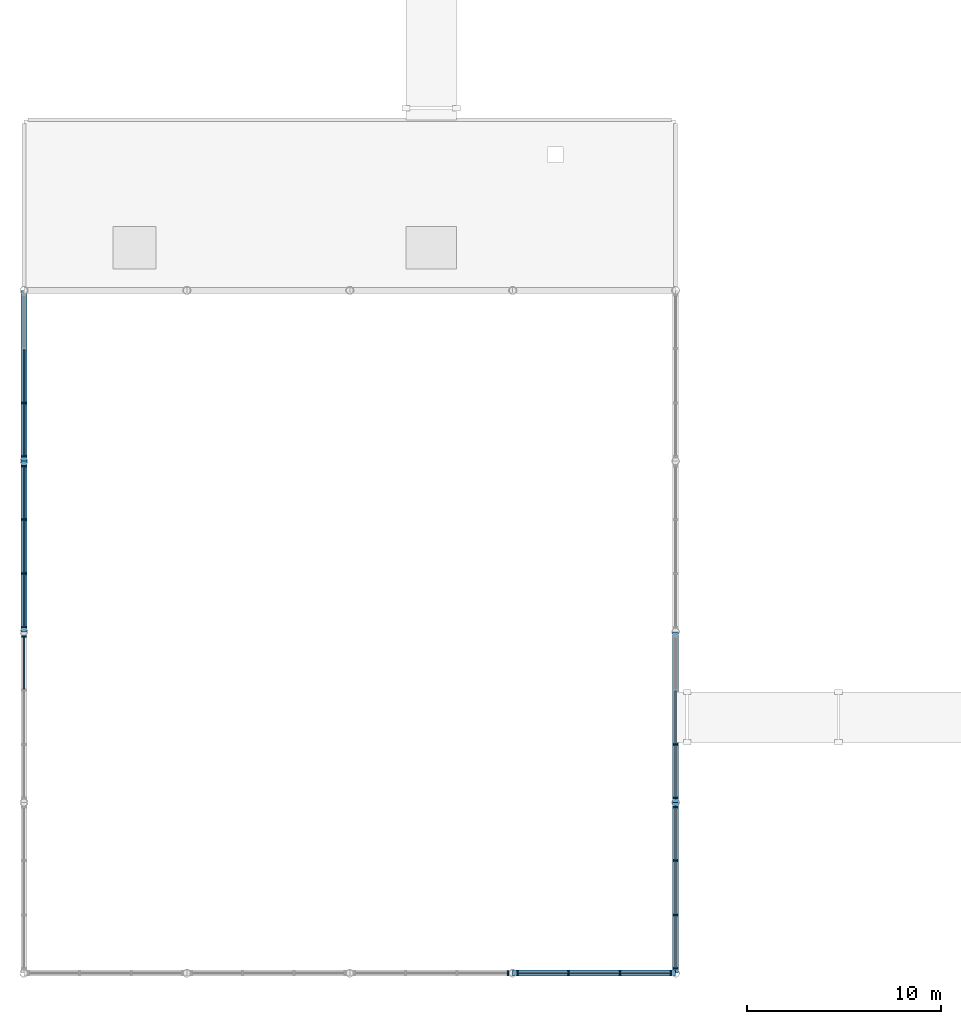
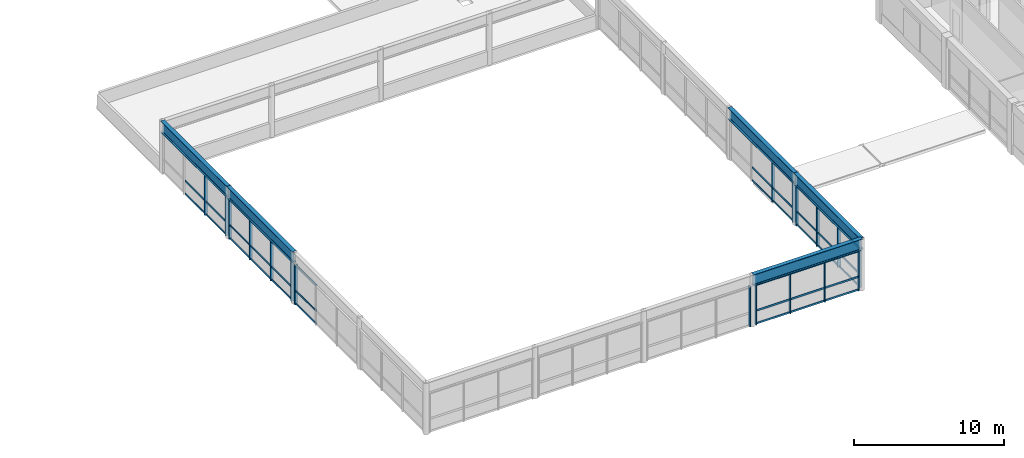
# One storey, part 6 of 46: 60 members, 5 beams, 7 elements without a shape of their own.
"""IFC4 building model written with IfcOpenShell, lengths in metres."""

from ifc_helpers import new_model, si_unit, direction, frame, origin, origin_2d, place, context, subcontext, project, spatial, rectangle, i_section, extrude, material, material_profile, profile_set, type_object, element, aggregate, save


model = new_model("IFC4")

# Units and contexts
model_context = context("Model", 3, precision=1e-05, world=origin(), true_north=direction((0.0, 1.0)))
body_context = subcontext(model_context, "Body", "Model", "MODEL_VIEW")
ifc_project = project(units=[si_unit("LENGTHUNIT", "METRE"), si_unit("AREAUNIT", "SQUARE_METRE"), si_unit("VOLUMEUNIT", "CUBIC_METRE"), si_unit("PLANEANGLEUNIT", "RADIAN"), si_unit("MASSUNIT", "GRAM", prefix="KILO")], contexts=[model_context])

# Site, building, storey
site_placement = place(None, origin())
site = spatial("IfcSite", under=ifc_project, at=site_placement, CompositionType="ELEMENT")
building_placement = place(site_placement, origin())
building = spatial("IfcBuilding", under=site, at=building_placement, Name="Kemercrest Conservatory and Botanical Centre", CompositionType="ELEMENT")
storey_placement = place(building_placement, frame((0.0, 0.0, 9.0)))
storey = spatial("IfcBuildingStorey", under=building, at=storey_placement, Name="L02", CompositionType="ELEMENT", Elevation=9.0)

# Curtain wall, member
ifc_material_1 = material(Name="Thermally broken aluminium and triple low-e glazing", Category="aluminium")
curtain_wall_type_1 = type_object("IfcCurtainWallType", Name="CW-20", PredefinedType="USERDEFINED", material=ifc_material_1)
curtain_wall_1_placement = place(storey_placement, origin())
curtain_wall_1 = element("IfcCurtainWall", 1, at=curtain_wall_1_placement, inside=storey, type_object=curtain_wall_type_1, Name="Unitised curtain wall CW-20 (CW:L02:V1-019)", ObjectType="UNITISED CURTAIN WALL", PredefinedType="USERDEFINED")
ifc_material_2 = material(Name="Thermally broken anodized aluminium 6063-T6", Category="aluminium")
ifc_material_profile_1 = material_profile(ifc_material_2, rectangle(XDim=0.239990234375, YDim=0.074951171875, at=origin_2d()), Name="AL MULLION 75x240")
ifc_profile_set_1 = profile_set([ifc_material_profile_1], Name="Thermally broken anodized aluminium 6063-T6")
member_type_1 = type_object("IfcMemberType", Name="CW-M225", PredefinedType="MULLION", material=ifc_profile_set_1)
member_1_placement = place(storey_placement, frame((32.96240234375, 16.800048828125, 0.0), z_axis=(0.0, 0.0, 1.0), x_axis=(0.0, 1.0, 0.0)))
member_1 = element("IfcMember", 2, at=member_1_placement, type_object=member_type_1, Name="CW-20 mullion 4", PredefinedType="MULLION", context=body_context, shape_type="SweptSolid", body=[
    extrude(rectangle(XDim=0.239990234375, YDim=0.074951171875, at=origin_2d()), origin(), (0.0, 0.0, 1.0), 3.278076171875),
])
aggregate(curtain_wall_1, [member_1])

# Curtain wall, members
curtain_wall_type_2 = type_object("IfcCurtainWallType", Name="CW-21", PredefinedType="USERDEFINED", material=ifc_material_1)
curtain_wall_2_placement = place(storey_placement, origin())
curtain_wall_2 = element("IfcCurtainWall", 3, at=curtain_wall_2_placement, inside=storey, type_object=curtain_wall_type_2, Name="Unitised curtain wall CW-21 (CW:L02:V1-020)", ObjectType="UNITISED CURTAIN WALL", PredefinedType="USERDEFINED")
member_2_placement = place(storey_placement, frame((33.4375, 16.800048828125, 0.0), z_axis=(0.0, 0.0, 1.0), x_axis=(0.0, 1.0, 0.0)))
member_2 = element("IfcMember", 4, at=member_2_placement, type_object=member_type_1, Name="CW-21 mullion 1", PredefinedType="MULLION", context=body_context, shape_type="SweptSolid", body=[
    extrude(rectangle(XDim=0.239990234375, YDim=0.074951171875, at=origin_2d()), origin(), (0.0, 0.0, 1.0), 3.278076171875),
])
member_3_placement = place(storey_placement, frame((36.066650390625, 16.800048828125, 0.0), z_axis=(0.0, 0.0, 1.0), x_axis=(0.0, 1.0, 0.0)))
member_3 = element("IfcMember", 5, at=member_3_placement, type_object=member_type_1, Name="CW-21 mullion 2", PredefinedType="MULLION", context=body_context, shape_type="SweptSolid", body=[
    extrude(rectangle(XDim=0.239990234375, YDim=0.074951171875, at=origin_2d()), origin(), (0.0, 0.0, 1.0), 3.278076171875),
])
member_4_placement = place(storey_placement, frame((38.7333984375, 16.800048828125, 0.0), z_axis=(0.0, 0.0, 1.0), x_axis=(0.0, 1.0, 0.0)))
member_4 = element("IfcMember", 6, at=member_4_placement, type_object=member_type_1, Name="CW-21 mullion 3", PredefinedType="MULLION", context=body_context, shape_type="SweptSolid", body=[
    extrude(rectangle(XDim=0.239990234375, YDim=0.074951171875, at=origin_2d()), origin(), (0.0, 0.0, 1.0), 3.278076171875),
])
member_5_placement = place(storey_placement, frame((41.362548828125, 16.800048828125, 0.0), z_axis=(0.0, 0.0, 1.0), x_axis=(0.0, 1.0, 0.0)))
member_5 = element("IfcMember", 7, at=member_5_placement, type_object=member_type_1, Name="CW-21 mullion 4", PredefinedType="MULLION", context=body_context, shape_type="SweptSolid", body=[
    extrude(rectangle(XDim=0.239990234375, YDim=0.074951171875, at=origin_2d()), origin(), (0.0, 0.0, 1.0), 3.278076171875),
])

curtain_wall_type_3 = type_object("IfcCurtainWallType", Name="CW-22", PredefinedType="USERDEFINED", material=ifc_material_1)
curtain_wall_3_placement = place(storey_placement, origin())
curtain_wall_3 = element("IfcCurtainWall", 8, at=curtain_wall_3_placement, inside=storey, type_object=curtain_wall_type_3, Name="Unitised curtain wall CW-22 (CW:L02:V1-021)", ObjectType="UNITISED CURTAIN WALL", PredefinedType="USERDEFINED")
member_6_placement = place(storey_placement, frame((41.60009765625, 17.03759765625, 0.0), z_axis=(0.0, 0.0, 1.0), x_axis=(-1.0, 0.0, 0.0)))
member_6 = element("IfcMember", 9, at=member_6_placement, type_object=member_type_1, Name="CW-22 mullion 1", PredefinedType="MULLION", context=body_context, shape_type="SweptSolid", body=[
    extrude(rectangle(XDim=0.239990234375, YDim=0.074951171875, at=origin_2d()), origin(), (0.0, 0.0, 1.0), 3.278076171875),
])
member_7_placement = place(storey_placement, frame((41.60009765625, 19.800048828125, 0.0), z_axis=(0.0, 0.0, 1.0), x_axis=(-1.0, 0.0, 0.0)))
member_7 = element("IfcMember", 10, at=member_7_placement, type_object=member_type_1, Name="CW-22 mullion 2", PredefinedType="MULLION", context=body_context, shape_type="SweptSolid", body=[
    extrude(rectangle(XDim=0.239990234375, YDim=0.074951171875, at=origin_2d()), origin(), (0.0, 0.0, 1.0), 3.278076171875),
])
member_8_placement = place(storey_placement, frame((41.60009765625, 22.60009765625, 0.0), z_axis=(0.0, 0.0, 1.0), x_axis=(-1.0, 0.0, 0.0)))
member_8 = element("IfcMember", 11, at=member_8_placement, type_object=member_type_1, Name="CW-22 mullion 3", PredefinedType="MULLION", context=body_context, shape_type="SweptSolid", body=[
    extrude(rectangle(XDim=0.239990234375, YDim=0.074951171875, at=origin_2d()), origin(), (0.0, 0.0, 1.0), 3.278076171875),
])
member_9_placement = place(storey_placement, frame((41.60009765625, 25.362548828125, 0.0), z_axis=(0.0, 0.0, 1.0), x_axis=(-1.0, 0.0, 0.0)))
member_9 = element("IfcMember", 12, at=member_9_placement, type_object=member_type_1, Name="CW-22 mullion 4", PredefinedType="MULLION", context=body_context, shape_type="SweptSolid", body=[
    extrude(rectangle(XDim=0.239990234375, YDim=0.074951171875, at=origin_2d()), origin(), (0.0, 0.0, 1.0), 3.278076171875),
])

curtain_wall_type_4 = type_object("IfcCurtainWallType", Name="CW-23", PredefinedType="USERDEFINED", material=ifc_material_1)
curtain_wall_4_placement = place(storey_placement, origin())
curtain_wall_4 = element("IfcCurtainWall", 13, at=curtain_wall_4_placement, inside=storey, type_object=curtain_wall_type_4, Name="Unitised curtain wall CW-23 (CW:L02:V1-022)", ObjectType="UNITISED CURTAIN WALL", PredefinedType="USERDEFINED")
member_10_placement = place(storey_placement, frame((41.60009765625, 25.83740234375, 0.0), z_axis=(0.0, 0.0, 1.0), x_axis=(-1.0, 0.0, 0.0)))
member_10 = element("IfcMember", 14, at=member_10_placement, type_object=member_type_1, Name="CW-23 mullion 1", PredefinedType="MULLION", context=body_context, shape_type="SweptSolid", body=[
    extrude(rectangle(XDim=0.239990234375, YDim=0.074951171875, at=origin_2d()), origin(), (0.0, 0.0, 1.0), 3.278076171875),
])
member_11_placement = place(storey_placement, frame((41.60009765625, 28.60009765625, 0.0), z_axis=(0.0, 0.0, 1.0), x_axis=(-1.0, 0.0, 0.0)))
member_11 = element("IfcMember", 15, at=member_11_placement, type_object=member_type_1, Name="CW-23 mullion 2", PredefinedType="MULLION", context=body_context, shape_type="SweptSolid", body=[
    extrude(rectangle(XDim=0.239990234375, YDim=0.074951171875, at=origin_2d()), origin(), (0.0, 0.0, 1.0), 3.278076171875),
])

curtain_wall_type_5 = type_object("IfcCurtainWallType", Name="CW-26", PredefinedType="USERDEFINED", material=ifc_material_1)
curtain_wall_5_placement = place(storey_placement, origin())
curtain_wall_5 = element("IfcCurtainWall", 16, at=curtain_wall_5_placement, inside=storey, type_object=curtain_wall_type_5, Name="Unitised curtain wall CW-26 (CW:L02:V1-025)", ObjectType="UNITISED CURTAIN WALL", PredefinedType="USERDEFINED")
member_12_placement = place(storey_placement, frame((8.0, 46.199951171875, 0.0), z_axis=(0.0, 0.0, 1.0), x_axis=(1.0, 0.0, 0.0)))
member_12 = element("IfcMember", 17, at=member_12_placement, type_object=member_type_1, Name="CW-26 mullion 3", PredefinedType="MULLION", context=body_context, shape_type="SweptSolid", body=[
    extrude(rectangle(XDim=0.239990234375, YDim=0.074951171875, at=origin_2d()), origin(), (0.0, 0.0, 1.0), 3.278076171875),
])
member_13_placement = place(storey_placement, frame((8.0, 43.4375, 0.0), z_axis=(0.0, 0.0, 1.0), x_axis=(1.0, 0.0, 0.0)))
member_13 = element("IfcMember", 18, at=member_13_placement, type_object=member_type_1, Name="CW-26 mullion 4", PredefinedType="MULLION", context=body_context, shape_type="SweptSolid", body=[
    extrude(rectangle(XDim=0.239990234375, YDim=0.074951171875, at=origin_2d()), origin(), (0.0, 0.0, 1.0), 3.278076171875),
])

curtain_wall_type_6 = type_object("IfcCurtainWallType", Name="CW-27", PredefinedType="USERDEFINED", material=ifc_material_1)
curtain_wall_6_placement = place(storey_placement, origin())
curtain_wall_6 = element("IfcCurtainWall", 19, at=curtain_wall_6_placement, inside=storey, type_object=curtain_wall_type_6, Name="Unitised curtain wall CW-27 (CW:L02:V1-026)", ObjectType="UNITISED CURTAIN WALL", PredefinedType="USERDEFINED")
member_14_placement = place(storey_placement, frame((8.0, 42.96240234375, 0.0), z_axis=(0.0, 0.0, 1.0), x_axis=(1.0, 0.0, 0.0)))
member_14 = element("IfcMember", 20, at=member_14_placement, type_object=member_type_1, Name="CW-27 mullion 1", PredefinedType="MULLION", context=body_context, shape_type="SweptSolid", body=[
    extrude(rectangle(XDim=0.239990234375, YDim=0.074951171875, at=origin_2d()), origin(), (0.0, 0.0, 1.0), 3.278076171875),
])
member_15_placement = place(storey_placement, frame((8.0, 40.199951171875, 0.0), z_axis=(0.0, 0.0, 1.0), x_axis=(1.0, 0.0, 0.0)))
member_15 = element("IfcMember", 21, at=member_15_placement, type_object=member_type_1, Name="CW-27 mullion 2", PredefinedType="MULLION", context=body_context, shape_type="SweptSolid", body=[
    extrude(rectangle(XDim=0.239990234375, YDim=0.074951171875, at=origin_2d()), origin(), (0.0, 0.0, 1.0), 3.278076171875),
])
member_16_placement = place(storey_placement, frame((8.0, 37.39990234375, 0.0), z_axis=(0.0, 0.0, 1.0), x_axis=(1.0, 0.0, 0.0)))
member_16 = element("IfcMember", 22, at=member_16_placement, type_object=member_type_1, Name="CW-27 mullion 3", PredefinedType="MULLION", context=body_context, shape_type="SweptSolid", body=[
    extrude(rectangle(XDim=0.239990234375, YDim=0.074951171875, at=origin_2d()), origin(), (0.0, 0.0, 1.0), 3.278076171875),
])
member_17_placement = place(storey_placement, frame((8.0, 34.637451171875, 0.0), z_axis=(0.0, 0.0, 1.0), x_axis=(1.0, 0.0, 0.0)))
member_17 = element("IfcMember", 23, at=member_17_placement, type_object=member_type_1, Name="CW-27 mullion 4", PredefinedType="MULLION", context=body_context, shape_type="SweptSolid", body=[
    extrude(rectangle(XDim=0.239990234375, YDim=0.074951171875, at=origin_2d()), origin(), (0.0, 0.0, 1.0), 3.278076171875),
])

# Curtain wall, member
curtain_wall_type_7 = type_object("IfcCurtainWallType", Name="CW-28", PredefinedType="USERDEFINED", material=ifc_material_1)
curtain_wall_7_placement = place(storey_placement, origin())
curtain_wall_7 = element("IfcCurtainWall", 24, at=curtain_wall_7_placement, inside=storey, type_object=curtain_wall_type_7, Name="Unitised curtain wall CW-28 (CW:L02:V1-027)", ObjectType="UNITISED CURTAIN WALL", PredefinedType="USERDEFINED")
member_18_placement = place(storey_placement, frame((8.0, 34.16259765625, 0.0), z_axis=(0.0, 0.0, 1.0), x_axis=(1.0, 0.0, 0.0)))
member_18 = element("IfcMember", 25, at=member_18_placement, type_object=member_type_1, Name="CW-28 mullion 1", PredefinedType="MULLION", context=body_context, shape_type="SweptSolid", body=[
    extrude(rectangle(XDim=0.239990234375, YDim=0.074951171875, at=origin_2d()), origin(), (0.0, 0.0, 1.0), 3.278076171875),
])

# Member
ifc_material_profile_2 = material_profile(ifc_material_2, rectangle(XDim=0.06494140625, YDim=0.14990234375, at=origin_2d()), Name="AL TRANSOM 65x150")
ifc_profile_set_2 = profile_set([ifc_material_profile_2], Name="Thermally broken anodized aluminium 6063-T6")
member_type_2 = type_object("IfcMemberType", Name="CW-T200", PredefinedType="USERDEFINED", material=ifc_profile_set_2)
member_19_placement = place(storey_placement, frame((33.47509765625, 16.800048828125, 0.074951171875), z_axis=(1.0, 0.0, 0.0), x_axis=(0.0, 1.0, 0.0)))
member_19 = element("IfcMember", 26, at=member_19_placement, type_object=member_type_2, Name="CW-21 transom 1.1", ObjectType="TRANSOM", PredefinedType="USERDEFINED", context=body_context, shape_type="SweptSolid", body=[
    extrude(rectangle(XDim=0.06494140625, YDim=0.14990234375, at=origin_2d()), origin(), (0.0, 0.0, 1.0), 2.553955078125),
])

member_20_placement = place(storey_placement, frame((33.47509765625, 16.800048828125, 1.1201171875), z_axis=(1.0, 0.0, 0.0), x_axis=(0.0, 1.0, 0.0)))
member_20 = element("IfcMember", 27, at=member_20_placement, type_object=member_type_2, Name="CW-21 transom 1.2", ObjectType="TRANSOM", PredefinedType="USERDEFINED", context=body_context, shape_type="SweptSolid", body=[
    extrude(rectangle(XDim=0.06494140625, YDim=0.14990234375, at=origin_2d()), origin(), (0.0, 0.0, 1.0), 2.553955078125),
])

member_21_placement = place(storey_placement, frame((33.47509765625, 16.800048828125, 3.202880859375), z_axis=(1.0, 0.0, 0.0), x_axis=(0.0, 1.0, 0.0)))
member_21 = element("IfcMember", 28, at=member_21_placement, type_object=member_type_2, Name="CW-21 transom 1.3", ObjectType="TRANSOM", PredefinedType="USERDEFINED", context=body_context, shape_type="SweptSolid", body=[
    extrude(rectangle(XDim=0.06494140625, YDim=0.14990234375, at=origin_2d()), origin(), (0.0, 0.0, 1.0), 2.553955078125),
])

member_22_placement = place(storey_placement, frame((36.104248046875, 16.800048828125, 0.074951171875), z_axis=(1.0, 0.0, 0.0), x_axis=(0.0, 1.0, 0.0)))
member_22 = element("IfcMember", 29, at=member_22_placement, type_object=member_type_2, Name="CW-21 transom 2.1", ObjectType="TRANSOM", PredefinedType="USERDEFINED", context=body_context, shape_type="SweptSolid", body=[
    extrude(rectangle(XDim=0.06494140625, YDim=0.14990234375, at=origin_2d()), origin(), (0.0, 0.0, 1.0), 2.591552734375),
])

member_23_placement = place(storey_placement, frame((36.104248046875, 16.800048828125, 1.1201171875), z_axis=(1.0, 0.0, 0.0), x_axis=(0.0, 1.0, 0.0)))
member_23 = element("IfcMember", 30, at=member_23_placement, type_object=member_type_2, Name="CW-21 transom 2.2", ObjectType="TRANSOM", PredefinedType="USERDEFINED", context=body_context, shape_type="SweptSolid", body=[
    extrude(rectangle(XDim=0.06494140625, YDim=0.14990234375, at=origin_2d()), origin(), (0.0, 0.0, 1.0), 2.591552734375),
])

member_24_placement = place(storey_placement, frame((36.104248046875, 16.800048828125, 3.202880859375), z_axis=(1.0, 0.0, 0.0), x_axis=(0.0, 1.0, 0.0)))
member_24 = element("IfcMember", 31, at=member_24_placement, type_object=member_type_2, Name="CW-21 transom 2.3", ObjectType="TRANSOM", PredefinedType="USERDEFINED", context=body_context, shape_type="SweptSolid", body=[
    extrude(rectangle(XDim=0.06494140625, YDim=0.14990234375, at=origin_2d()), origin(), (0.0, 0.0, 1.0), 2.591552734375),
])

member_25_placement = place(storey_placement, frame((38.770751953125, 16.800048828125, 0.074951171875), z_axis=(1.0, 0.0, 0.0), x_axis=(0.0, 1.0, 0.0)))
member_25 = element("IfcMember", 32, at=member_25_placement, type_object=member_type_2, Name="CW-21 transom 3.1", ObjectType="TRANSOM", PredefinedType="USERDEFINED", context=body_context, shape_type="SweptSolid", body=[
    extrude(rectangle(XDim=0.06494140625, YDim=0.14990234375, at=origin_2d()), origin(), (0.0, 0.0, 1.0), 2.55419921875),
])

member_26_placement = place(storey_placement, frame((38.770751953125, 16.800048828125, 1.1201171875), z_axis=(1.0, 0.0, 0.0), x_axis=(0.0, 1.0, 0.0)))
member_26 = element("IfcMember", 33, at=member_26_placement, type_object=member_type_2, Name="CW-21 transom 3.2", ObjectType="TRANSOM", PredefinedType="USERDEFINED", context=body_context, shape_type="SweptSolid", body=[
    extrude(rectangle(XDim=0.06494140625, YDim=0.14990234375, at=origin_2d()), origin(), (0.0, 0.0, 1.0), 2.55419921875),
])

member_27_placement = place(storey_placement, frame((38.770751953125, 16.800048828125, 3.202880859375), z_axis=(1.0, 0.0, 0.0), x_axis=(0.0, 1.0, 0.0)))
member_27 = element("IfcMember", 34, at=member_27_placement, type_object=member_type_2, Name="CW-21 transom 3.3", ObjectType="TRANSOM", PredefinedType="USERDEFINED", context=body_context, shape_type="SweptSolid", body=[
    extrude(rectangle(XDim=0.06494140625, YDim=0.14990234375, at=origin_2d()), origin(), (0.0, 0.0, 1.0), 2.55419921875),
])

aggregate(curtain_wall_2, [member_2, member_3, member_4, member_5, member_19, member_20, member_21, member_22, member_23, member_24, member_25, member_26, member_27])

member_28_placement = place(storey_placement, frame((41.60009765625, 17.074951171875, 0.074951171875), z_axis=(0.0, 1.0, 0.0), x_axis=(-1.0, 0.0, 0.0)))
member_28 = element("IfcMember", 35, at=member_28_placement, type_object=member_type_2, Name="CW-22 transom 1.1", ObjectType="TRANSOM", PredefinedType="USERDEFINED", context=body_context, shape_type="SweptSolid", body=[
    extrude(rectangle(XDim=0.06494140625, YDim=0.14990234375, at=origin_2d()), origin(), (0.0, 0.0, 1.0), 2.6875),
])

member_29_placement = place(storey_placement, frame((41.60009765625, 17.074951171875, 1.1201171875), z_axis=(0.0, 1.0, 0.0), x_axis=(-1.0, 0.0, 0.0)))
member_29 = element("IfcMember", 36, at=member_29_placement, type_object=member_type_2, Name="CW-22 transom 1.2", ObjectType="TRANSOM", PredefinedType="USERDEFINED", context=body_context, shape_type="SweptSolid", body=[
    extrude(rectangle(XDim=0.06494140625, YDim=0.14990234375, at=origin_2d()), origin(), (0.0, 0.0, 1.0), 2.6875),
])

member_30_placement = place(storey_placement, frame((41.60009765625, 17.074951171875, 3.202880859375), z_axis=(0.0, 1.0, 0.0), x_axis=(-1.0, 0.0, 0.0)))
member_30 = element("IfcMember", 37, at=member_30_placement, type_object=member_type_2, Name="CW-22 transom 1.3", ObjectType="TRANSOM", PredefinedType="USERDEFINED", context=body_context, shape_type="SweptSolid", body=[
    extrude(rectangle(XDim=0.06494140625, YDim=0.14990234375, at=origin_2d()), origin(), (0.0, 0.0, 1.0), 2.6875),
])

member_31_placement = place(storey_placement, frame((41.60009765625, 19.83740234375, 0.074951171875), z_axis=(0.0, 1.0, 0.0), x_axis=(-1.0, 0.0, 0.0)))
member_31 = element("IfcMember", 38, at=member_31_placement, type_object=member_type_2, Name="CW-22 transom 2.1", ObjectType="TRANSOM", PredefinedType="USERDEFINED", context=body_context, shape_type="SweptSolid", body=[
    extrude(rectangle(XDim=0.06494140625, YDim=0.14990234375, at=origin_2d()), origin(), (0.0, 0.0, 1.0), 2.72509765625),
])

member_32_placement = place(storey_placement, frame((41.60009765625, 19.83740234375, 1.1201171875), z_axis=(0.0, 1.0, 0.0), x_axis=(-1.0, 0.0, 0.0)))
member_32 = element("IfcMember", 39, at=member_32_placement, type_object=member_type_2, Name="CW-22 transom 2.2", ObjectType="TRANSOM", PredefinedType="USERDEFINED", context=body_context, shape_type="SweptSolid", body=[
    extrude(rectangle(XDim=0.06494140625, YDim=0.14990234375, at=origin_2d()), origin(), (0.0, 0.0, 1.0), 2.72509765625),
])

member_33_placement = place(storey_placement, frame((41.60009765625, 19.83740234375, 3.202880859375), z_axis=(0.0, 1.0, 0.0), x_axis=(-1.0, 0.0, 0.0)))
member_33 = element("IfcMember", 40, at=member_33_placement, type_object=member_type_2, Name="CW-22 transom 2.3", ObjectType="TRANSOM", PredefinedType="USERDEFINED", context=body_context, shape_type="SweptSolid", body=[
    extrude(rectangle(XDim=0.06494140625, YDim=0.14990234375, at=origin_2d()), origin(), (0.0, 0.0, 1.0), 2.72509765625),
])

member_34_placement = place(storey_placement, frame((41.60009765625, 22.637451171875, 0.074951171875), z_axis=(0.0, 1.0, 0.0), x_axis=(-1.0, 0.0, 0.0)))
member_34 = element("IfcMember", 41, at=member_34_placement, type_object=member_type_2, Name="CW-22 transom 3.1", ObjectType="TRANSOM", PredefinedType="USERDEFINED", context=body_context, shape_type="SweptSolid", body=[
    extrude(rectangle(XDim=0.06494140625, YDim=0.14990234375, at=origin_2d()), origin(), (0.0, 0.0, 1.0), 2.6875),
])

member_35_placement = place(storey_placement, frame((41.60009765625, 22.637451171875, 1.1201171875), z_axis=(0.0, 1.0, 0.0), x_axis=(-1.0, 0.0, 0.0)))
member_35 = element("IfcMember", 42, at=member_35_placement, type_object=member_type_2, Name="CW-22 transom 3.2", ObjectType="TRANSOM", PredefinedType="USERDEFINED", context=body_context, shape_type="SweptSolid", body=[
    extrude(rectangle(XDim=0.06494140625, YDim=0.14990234375, at=origin_2d()), origin(), (0.0, 0.0, 1.0), 2.6875),
])

member_36_placement = place(storey_placement, frame((41.60009765625, 22.637451171875, 3.202880859375), z_axis=(0.0, 1.0, 0.0), x_axis=(-1.0, 0.0, 0.0)))
member_36 = element("IfcMember", 43, at=member_36_placement, type_object=member_type_2, Name="CW-22 transom 3.3", ObjectType="TRANSOM", PredefinedType="USERDEFINED", context=body_context, shape_type="SweptSolid", body=[
    extrude(rectangle(XDim=0.06494140625, YDim=0.14990234375, at=origin_2d()), origin(), (0.0, 0.0, 1.0), 2.6875),
])

aggregate(curtain_wall_3, [member_6, member_7, member_8, member_9, member_28, member_29, member_30, member_31, member_32, member_33, member_34, member_35, member_36])

member_37_placement = place(storey_placement, frame((41.60009765625, 25.875, 0.074951171875), z_axis=(0.0, 1.0, 0.0), x_axis=(-1.0, 0.0, 0.0)))
member_37 = element("IfcMember", 44, at=member_37_placement, type_object=member_type_2, Name="CW-23 transom 1.1", ObjectType="TRANSOM", PredefinedType="USERDEFINED", context=body_context, shape_type="SweptSolid", body=[
    extrude(rectangle(XDim=0.06494140625, YDim=0.14990234375, at=origin_2d()), origin(), (0.0, 0.0, 1.0), 2.6875),
])

member_38_placement = place(storey_placement, frame((41.60009765625, 25.875, 1.1201171875), z_axis=(0.0, 1.0, 0.0), x_axis=(-1.0, 0.0, 0.0)))
member_38 = element("IfcMember", 45, at=member_38_placement, type_object=member_type_2, Name="CW-23 transom 1.2", ObjectType="TRANSOM", PredefinedType="USERDEFINED", context=body_context, shape_type="SweptSolid", body=[
    extrude(rectangle(XDim=0.06494140625, YDim=0.14990234375, at=origin_2d()), origin(), (0.0, 0.0, 1.0), 2.6875),
])

member_39_placement = place(storey_placement, frame((41.60009765625, 25.875, 3.202880859375), z_axis=(0.0, 1.0, 0.0), x_axis=(-1.0, 0.0, 0.0)))
member_39 = element("IfcMember", 46, at=member_39_placement, type_object=member_type_2, Name="CW-23 transom 1.3", ObjectType="TRANSOM", PredefinedType="USERDEFINED", context=body_context, shape_type="SweptSolid", body=[
    extrude(rectangle(XDim=0.06494140625, YDim=0.14990234375, at=origin_2d()), origin(), (0.0, 0.0, 1.0), 2.6875),
])

member_40_placement = place(storey_placement, frame((41.60009765625, 28.637451171875, 0.074951171875), z_axis=(0.0, 1.0, 0.0), x_axis=(-1.0, 0.0, 0.0)))
member_40 = element("IfcMember", 47, at=member_40_placement, type_object=member_type_2, Name="CW-23 transom 2.1", ObjectType="TRANSOM", PredefinedType="USERDEFINED", context=body_context, shape_type="SweptSolid", body=[
    extrude(rectangle(XDim=0.06494140625, YDim=0.14990234375, at=origin_2d()), origin(), (0.0, 0.0, 1.0), 2.72509765625),
])

member_41_placement = place(storey_placement, frame((41.60009765625, 28.637451171875, 1.1201171875), z_axis=(0.0, 1.0, 0.0), x_axis=(-1.0, 0.0, 0.0)))
member_41 = element("IfcMember", 48, at=member_41_placement, type_object=member_type_2, Name="CW-23 transom 2.2", ObjectType="TRANSOM", PredefinedType="USERDEFINED", context=body_context, shape_type="SweptSolid", body=[
    extrude(rectangle(XDim=0.06494140625, YDim=0.14990234375, at=origin_2d()), origin(), (0.0, 0.0, 1.0), 2.72509765625),
])

member_42_placement = place(storey_placement, frame((41.60009765625, 28.637451171875, 3.202880859375), z_axis=(0.0, 1.0, 0.0), x_axis=(-1.0, 0.0, 0.0)))
member_42 = element("IfcMember", 49, at=member_42_placement, type_object=member_type_2, Name="CW-23 transom 2.3", ObjectType="TRANSOM", PredefinedType="USERDEFINED", context=body_context, shape_type="SweptSolid", body=[
    extrude(rectangle(XDim=0.06494140625, YDim=0.14990234375, at=origin_2d()), origin(), (0.0, 0.0, 1.0), 2.72509765625),
])

aggregate(curtain_wall_4, [member_10, member_11, member_37, member_38, member_39, member_40, member_41, member_42])

member_43_placement = place(storey_placement, frame((8.0, 48.96240234375, 0.074951171875), z_axis=(0.0, -1.0, 0.0), x_axis=(1.0, 0.0, 0.0)))
member_43 = element("IfcMember", 50, at=member_43_placement, type_object=member_type_2, Name="CW-26 transom 2.1", ObjectType="TRANSOM", PredefinedType="USERDEFINED", context=body_context, shape_type="SweptSolid", body=[
    extrude(rectangle(XDim=0.06494140625, YDim=0.14990234375, at=origin_2d()), origin(), (0.0, 0.0, 1.0), 2.724853515625),
])

member_44_placement = place(storey_placement, frame((8.0, 48.96240234375, 1.1201171875), z_axis=(0.0, -1.0, 0.0), x_axis=(1.0, 0.0, 0.0)))
member_44 = element("IfcMember", 51, at=member_44_placement, type_object=member_type_2, Name="CW-26 transom 2.2", ObjectType="TRANSOM", PredefinedType="USERDEFINED", context=body_context, shape_type="SweptSolid", body=[
    extrude(rectangle(XDim=0.06494140625, YDim=0.14990234375, at=origin_2d()), origin(), (0.0, 0.0, 1.0), 2.724853515625),
])

member_45_placement = place(storey_placement, frame((8.0, 48.96240234375, 3.202880859375), z_axis=(0.0, -1.0, 0.0), x_axis=(1.0, 0.0, 0.0)))
member_45 = element("IfcMember", 52, at=member_45_placement, type_object=member_type_2, Name="CW-26 transom 2.3", ObjectType="TRANSOM", PredefinedType="USERDEFINED", context=body_context, shape_type="SweptSolid", body=[
    extrude(rectangle(XDim=0.06494140625, YDim=0.14990234375, at=origin_2d()), origin(), (0.0, 0.0, 1.0), 2.724853515625),
])

member_46_placement = place(storey_placement, frame((8.0, 46.16259765625, 0.074951171875), z_axis=(0.0, -1.0, 0.0), x_axis=(1.0, 0.0, 0.0)))
member_46 = element("IfcMember", 53, at=member_46_placement, type_object=member_type_2, Name="CW-26 transom 3.1", ObjectType="TRANSOM", PredefinedType="USERDEFINED", context=body_context, shape_type="SweptSolid", body=[
    extrude(rectangle(XDim=0.06494140625, YDim=0.14990234375, at=origin_2d()), origin(), (0.0, 0.0, 1.0), 2.6875),
])

member_47_placement = place(storey_placement, frame((8.0, 46.16259765625, 1.1201171875), z_axis=(0.0, -1.0, 0.0), x_axis=(1.0, 0.0, 0.0)))
member_47 = element("IfcMember", 54, at=member_47_placement, type_object=member_type_2, Name="CW-26 transom 3.2", ObjectType="TRANSOM", PredefinedType="USERDEFINED", context=body_context, shape_type="SweptSolid", body=[
    extrude(rectangle(XDim=0.06494140625, YDim=0.14990234375, at=origin_2d()), origin(), (0.0, 0.0, 1.0), 2.6875),
])

member_48_placement = place(storey_placement, frame((8.0, 46.16259765625, 3.202880859375), z_axis=(0.0, -1.0, 0.0), x_axis=(1.0, 0.0, 0.0)))
member_48 = element("IfcMember", 55, at=member_48_placement, type_object=member_type_2, Name="CW-26 transom 3.3", ObjectType="TRANSOM", PredefinedType="USERDEFINED", context=body_context, shape_type="SweptSolid", body=[
    extrude(rectangle(XDim=0.06494140625, YDim=0.14990234375, at=origin_2d()), origin(), (0.0, 0.0, 1.0), 2.6875),
])

aggregate(curtain_wall_5, [member_12, member_13, member_43, member_44, member_45, member_46, member_47, member_48])

member_49_placement = place(storey_placement, frame((8.0, 42.925048828125, 0.074951171875), z_axis=(0.0, -1.0, 0.0), x_axis=(1.0, 0.0, 0.0)))
member_49 = element("IfcMember", 56, at=member_49_placement, type_object=member_type_2, Name="CW-27 transom 1.1", ObjectType="TRANSOM", PredefinedType="USERDEFINED", context=body_context, shape_type="SweptSolid", body=[
    extrude(rectangle(XDim=0.06494140625, YDim=0.14990234375, at=origin_2d()), origin(), (0.0, 0.0, 1.0), 2.6875),
])

member_50_placement = place(storey_placement, frame((8.0, 42.925048828125, 1.1201171875), z_axis=(0.0, -1.0, 0.0), x_axis=(1.0, 0.0, 0.0)))
member_50 = element("IfcMember", 57, at=member_50_placement, type_object=member_type_2, Name="CW-27 transom 1.2", ObjectType="TRANSOM", PredefinedType="USERDEFINED", context=body_context, shape_type="SweptSolid", body=[
    extrude(rectangle(XDim=0.06494140625, YDim=0.14990234375, at=origin_2d()), origin(), (0.0, 0.0, 1.0), 2.6875),
])

member_51_placement = place(storey_placement, frame((8.0, 42.925048828125, 3.202880859375), z_axis=(0.0, -1.0, 0.0), x_axis=(1.0, 0.0, 0.0)))
member_51 = element("IfcMember", 58, at=member_51_placement, type_object=member_type_2, Name="CW-27 transom 1.3", ObjectType="TRANSOM", PredefinedType="USERDEFINED", context=body_context, shape_type="SweptSolid", body=[
    extrude(rectangle(XDim=0.06494140625, YDim=0.14990234375, at=origin_2d()), origin(), (0.0, 0.0, 1.0), 2.6875),
])

member_52_placement = place(storey_placement, frame((8.0, 40.16259765625, 0.074951171875), z_axis=(0.0, -1.0, 0.0), x_axis=(1.0, 0.0, 0.0)))
member_52 = element("IfcMember", 59, at=member_52_placement, type_object=member_type_2, Name="CW-27 transom 2.1", ObjectType="TRANSOM", PredefinedType="USERDEFINED", context=body_context, shape_type="SweptSolid", body=[
    extrude(rectangle(XDim=0.06494140625, YDim=0.14990234375, at=origin_2d()), origin(), (0.0, 0.0, 1.0), 2.72509765625),
])

member_53_placement = place(storey_placement, frame((8.0, 40.16259765625, 1.1201171875), z_axis=(0.0, -1.0, 0.0), x_axis=(1.0, 0.0, 0.0)))
member_53 = element("IfcMember", 60, at=member_53_placement, type_object=member_type_2, Name="CW-27 transom 2.2", ObjectType="TRANSOM", PredefinedType="USERDEFINED", context=body_context, shape_type="SweptSolid", body=[
    extrude(rectangle(XDim=0.06494140625, YDim=0.14990234375, at=origin_2d()), origin(), (0.0, 0.0, 1.0), 2.72509765625),
])

member_54_placement = place(storey_placement, frame((8.0, 40.16259765625, 3.202880859375), z_axis=(0.0, -1.0, 0.0), x_axis=(1.0, 0.0, 0.0)))
member_54 = element("IfcMember", 61, at=member_54_placement, type_object=member_type_2, Name="CW-27 transom 2.3", ObjectType="TRANSOM", PredefinedType="USERDEFINED", context=body_context, shape_type="SweptSolid", body=[
    extrude(rectangle(XDim=0.06494140625, YDim=0.14990234375, at=origin_2d()), origin(), (0.0, 0.0, 1.0), 2.72509765625),
])

member_55_placement = place(storey_placement, frame((8.0, 37.362548828125, 0.074951171875), z_axis=(0.0, -1.0, 0.0), x_axis=(1.0, 0.0, 0.0)))
member_55 = element("IfcMember", 62, at=member_55_placement, type_object=member_type_2, Name="CW-27 transom 3.1", ObjectType="TRANSOM", PredefinedType="USERDEFINED", context=body_context, shape_type="SweptSolid", body=[
    extrude(rectangle(XDim=0.06494140625, YDim=0.14990234375, at=origin_2d()), origin(), (0.0, 0.0, 1.0), 2.6875),
])

member_56_placement = place(storey_placement, frame((8.0, 37.362548828125, 1.1201171875), z_axis=(0.0, -1.0, 0.0), x_axis=(1.0, 0.0, 0.0)))
member_56 = element("IfcMember", 63, at=member_56_placement, type_object=member_type_2, Name="CW-27 transom 3.2", ObjectType="TRANSOM", PredefinedType="USERDEFINED", context=body_context, shape_type="SweptSolid", body=[
    extrude(rectangle(XDim=0.06494140625, YDim=0.14990234375, at=origin_2d()), origin(), (0.0, 0.0, 1.0), 2.6875),
])

member_57_placement = place(storey_placement, frame((8.0, 37.362548828125, 3.202880859375), z_axis=(0.0, -1.0, 0.0), x_axis=(1.0, 0.0, 0.0)))
member_57 = element("IfcMember", 64, at=member_57_placement, type_object=member_type_2, Name="CW-27 transom 3.3", ObjectType="TRANSOM", PredefinedType="USERDEFINED", context=body_context, shape_type="SweptSolid", body=[
    extrude(rectangle(XDim=0.06494140625, YDim=0.14990234375, at=origin_2d()), origin(), (0.0, 0.0, 1.0), 2.6875),
])

aggregate(curtain_wall_6, [member_14, member_15, member_16, member_17, member_49, member_50, member_51, member_52, member_53, member_54, member_55, member_56, member_57])

member_58_placement = place(storey_placement, frame((8.0, 34.125, 0.074951171875), z_axis=(0.0, -1.0, 0.0), x_axis=(1.0, 0.0, 0.0)))
member_58 = element("IfcMember", 65, at=member_58_placement, type_object=member_type_2, Name="CW-28 transom 1.1", ObjectType="TRANSOM", PredefinedType="USERDEFINED", context=body_context, shape_type="SweptSolid", body=[
    extrude(rectangle(XDim=0.06494140625, YDim=0.14990234375, at=origin_2d()), origin(), (0.0, 0.0, 1.0), 2.6875),
])

member_59_placement = place(storey_placement, frame((8.0, 34.125, 1.1201171875), z_axis=(0.0, -1.0, 0.0), x_axis=(1.0, 0.0, 0.0)))
member_59 = element("IfcMember", 66, at=member_59_placement, type_object=member_type_2, Name="CW-28 transom 1.2", ObjectType="TRANSOM", PredefinedType="USERDEFINED", context=body_context, shape_type="SweptSolid", body=[
    extrude(rectangle(XDim=0.06494140625, YDim=0.14990234375, at=origin_2d()), origin(), (0.0, 0.0, 1.0), 2.6875),
])

member_60_placement = place(storey_placement, frame((8.0, 34.125, 3.202880859375), z_axis=(0.0, -1.0, 0.0), x_axis=(1.0, 0.0, 0.0)))
member_60 = element("IfcMember", 67, at=member_60_placement, type_object=member_type_2, Name="CW-28 transom 1.3", ObjectType="TRANSOM", PredefinedType="USERDEFINED", context=body_context, shape_type="SweptSolid", body=[
    extrude(rectangle(XDim=0.06494140625, YDim=0.14990234375, at=origin_2d()), origin(), (0.0, 0.0, 1.0), 2.6875),
])

aggregate(curtain_wall_7, [member_18, member_58, member_59, member_60])

# Beams
ifc_material_3 = material(Name="Steel CSA G40.21 350W", Category="steel")
ifc_material_profile_3 = material_profile(ifc_material_3, i_section(OverallWidth=0.30810546875, OverallDepth=0.927001953125, WebThickness=0.019287109375, FlangeThickness=0.031982421875, FilletRadius=0.02587890625, at=origin_2d()), Name="W920X289")
ifc_profile_set_3 = profile_set([ifc_material_profile_3], Name="Steel CSA G40.21 350W")
beam_type = type_object("IfcBeamType", Name="SP-RB01", PredefinedType="SPANDREL", material=ifc_profile_set_3)
beam_1_placement = place(storey_placement, frame((33.199951171875, 16.800048828125, 3.736572265625), z_axis=(1.0, 0.0, 0.0), x_axis=(0.0, 1.0, 0.0)))
element("IfcBeam", 68, at=beam_1_placement, inside=storey, type_object=beam_type, Name="Conservatory Tension-Compression Ring Beam RB-01", PredefinedType="SPANDREL", context=body_context, shape_type="SweptSolid", body=[
    extrude(i_section(OverallWidth=0.30810546875, OverallDepth=0.927001953125, WebThickness=0.019287109375, FlangeThickness=0.031982421875, FilletRadius=0.02587890625, at=origin_2d()), origin(), (0.0, 0.0, 1.0), 8.400146484375),
])
for number, where, z_axis, x_axis, name in (
    (69, (8.0, 34.39990234375, 3.736572265625), (0.0, 1.0, 0.0), (-1.0, 0.0, 0.0), "Conservatory Tension-Compression Ring Beam RB-01"),
    (70, (8.0, 43.199951171875, 3.736572265625), (0.0, 1.0, 0.0), (-1.0, 0.0, 0.0), "Conservatory Tension-Compression Ring Beam RB-01"),
    (71, (41.60009765625, 16.800048828125, 3.736572265625), (0.0, 1.0, 0.0), (-1.0, 0.0, 0.0), "Conservatory Tension-Compression Ring Beam RB-01"),
):
    element("IfcBeam", number, at=place(storey_placement, frame(where, z_axis=z_axis, x_axis=x_axis)), inside=storey, type_object=beam_type, Name=name, PredefinedType="SPANDREL", context=body_context, shape_type="SweptSolid", body=[
        extrude(i_section(OverallWidth=0.30810546875, OverallDepth=0.927001953125, WebThickness=0.019287109375, FlangeThickness=0.031982421875, FilletRadius=0.02587890625, at=origin_2d()), origin(), (0.0, 0.0, 1.0), 8.800048828125),
    ])
beam_2_placement = place(storey_placement, frame((41.60009765625, 25.60009765625, 3.736572265625), z_axis=(0.0, 1.0, 0.0), x_axis=(-1.0, 0.0, 0.0)))
element("IfcBeam", 72, at=beam_2_placement, inside=storey, type_object=beam_type, Name="Conservatory Tension-Compression Ring Beam RB-01", PredefinedType="SPANDREL", context=body_context, shape_type="SweptSolid", body=[
    extrude(i_section(OverallWidth=0.30810546875, OverallDepth=0.927001953125, WebThickness=0.019287109375, FlangeThickness=0.031982421875, FilletRadius=0.02587890625, at=origin_2d()), origin(), (0.0, 0.0, 1.0), 8.7998046875),
])

save(model, "model.ifc")
